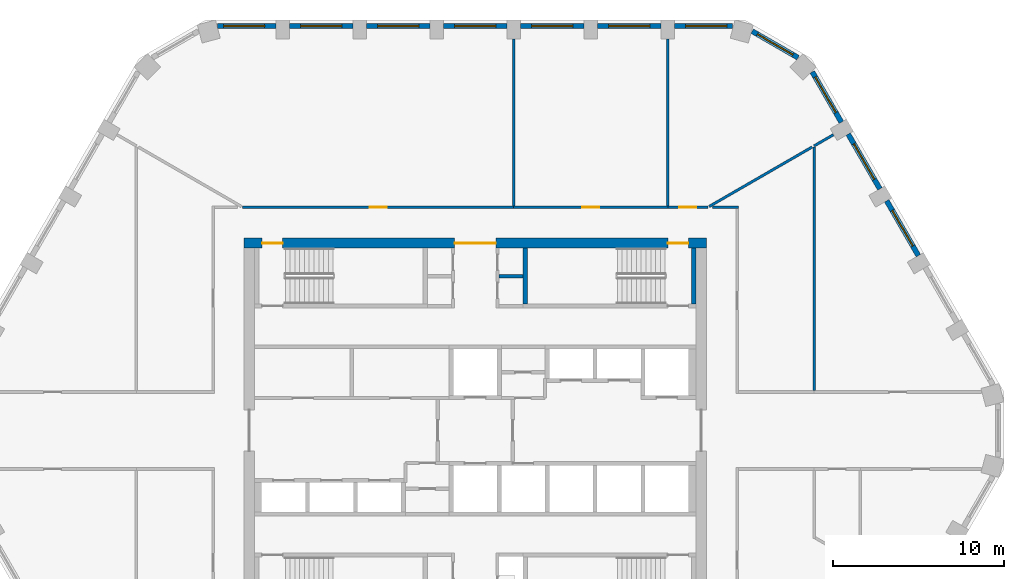
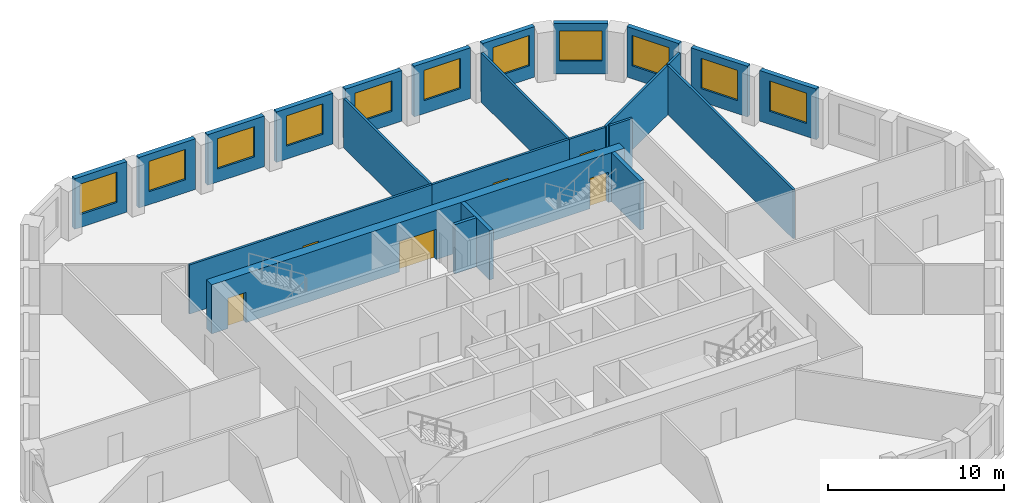
# One storey, part 6 of 8: 24 walls, 11 windows, 6 doors, 17 openings.
"""IFC4 building model written with IfcOpenShell, lengths in metres."""

from ifc_helpers import new_model, si_unit, direction, frame, frame_2d, origin, place, context, subcontext, project, spatial, rectangle, extrude, material, layer, layer_set, type_object, element, fill, save


model = new_model("IFC4")

# Units and contexts
model_context = context("Model", 3, precision=1e-05, world=origin(), true_north=direction((0.0, 1.0)))
body_context = subcontext(model_context, "Body", "Model", "MODEL_VIEW")
ifc_project = project(units=[si_unit("LENGTHUNIT", "METRE"), si_unit("AREAUNIT", "SQUARE_METRE"), si_unit("VOLUMEUNIT", "CUBIC_METRE"), si_unit("PLANEANGLEUNIT", "RADIAN"), si_unit("MASSUNIT", "GRAM", prefix="KILO")], contexts=[model_context])

# Site, building, storey
site_placement = place(None, origin())
site = spatial("IfcSite", under=ifc_project, at=site_placement, CompositionType="ELEMENT")
building_placement = place(site_placement, origin())
building = spatial("IfcBuilding", under=site, at=building_placement, Name="Dhurran Vertical Campus", CompositionType="ELEMENT")
storey_placement = place(building_placement, frame((0.0, 0.0, 226.800048828125)))
storey = spatial("IfcBuildingStorey", under=building, at=storey_placement, Name="L56", CompositionType="ELEMENT", Elevation=226.800048828125)

# Wall, opening, window
ifc_material_1 = material(Name="Precast concrete C50/60", Category="concrete")
ifc_layer_1 = layer(ifc_material_1, 0.300048828125)
ifc_layer_set_1 = layer_set([ifc_layer_1], Name="Precast concrete C50/60")
wall_type_1 = type_object("IfcWallType", Name="Precast spandrel wall 300", PredefinedType="SOLIDWALL", material=ifc_layer_set_1)
wall_1_placement = place(storey_placement, frame((25.893798828125, 10.216064453125, 0.0), z_axis=(0.0, 0.0, 1.0), x_axis=(-0.500029062817, 0.866008623709, 0.0)))
wall_1 = element("IfcWall", 1, at=wall_1_placement, inside=storey, type_object=wall_type_1, Name="EW1 L56.16", PredefinedType="SOLIDWALL", context=body_context, shape_type="SweptSolid", body=[
    extrude(rectangle(XDim=3.698974609375, YDim=0.300048828125, at=frame_2d((1.849609375, 0.0))), origin(), (0.0, 0.0, 1.0), 3.5),
])
opening_1_placement = place(wall_1_placement, frame((0.6494140625, 0.0, 0.89990234375)))
opening_1 = element("IfcOpeningElement", 2, at=opening_1_placement, cuts=wall_1, Name="Opening WT1", PredefinedType="OPENING", context=body_context, shape_type="SweptSolid", body=[
    extrude(rectangle(XDim=2.39990234375, YDim=2.10009765625, at=frame_2d((1.199951171875, 1.050048828125))), frame((0.0, 0.159912109375, 0.0), z_axis=(0.0, -1.0, 0.0), x_axis=(1.0, 0.0, 0.0)), (0.0, 0.0, 1.0), 0.320068359375),
])
ifc_material_2 = material(Name="Aluminium frame with solar-control glass", Category="aluminium")
window_type = type_object("IfcWindowType", Name="Punched window 2400 x 2100", PartitioningType="SINGLE_PANEL", PredefinedType="WINDOW", material=ifc_material_2)
window_1_placement = place(opening_1_placement, origin())
window_1 = element("IfcWindow", 3, at=window_1_placement, inside=storey, type_object=window_type, Name="WT1 L56.16", OverallHeight=2.10009765625, OverallWidth=2.39990234375, PartitioningType="SINGLE_PANEL", PredefinedType="WINDOW", context=body_context, shape_type="SweptSolid", body=[
    extrude(rectangle(XDim=2.39990234375, YDim=2.10009765625, at=frame_2d((1.199951171875, 1.050048828125))), frame((0.0, 0.030029296875, 0.0), z_axis=(0.0, -1.0, 0.0), x_axis=(1.0, 0.0, 0.0)), (0.0, 0.0, 1.0), 0.06005859375),
])
fill(opening_1, window_1)

wall_2_placement = place(storey_placement, frame((23.643798828125, 14.11328125, 0.0), z_axis=(0.0, 0.0, 1.0), x_axis=(-0.500029062817, 0.866008623709, 0.0)))
wall_2 = element("IfcWall", 4, at=wall_2_placement, inside=storey, type_object=wall_type_1, Name="EW1 L56.17", PredefinedType="SOLIDWALL", context=body_context, shape_type="SweptSolid", body=[
    extrude(rectangle(XDim=3.698974609375, YDim=0.300048828125, at=frame_2d((1.849609375, 0.0))), origin(), (0.0, 0.0, 1.0), 3.5),
])
opening_2_placement = place(wall_2_placement, frame((0.6494140625, 0.0, 0.89990234375)))
opening_2 = element("IfcOpeningElement", 5, at=opening_2_placement, cuts=wall_2, Name="Opening WT1", PredefinedType="OPENING", context=body_context, shape_type="SweptSolid", body=[
    extrude(rectangle(XDim=2.39990234375, YDim=2.10009765625, at=frame_2d((1.199951171875, 1.050048828125))), frame((0.0, 0.159912109375, 0.0), z_axis=(0.0, -1.0, 0.0), x_axis=(1.0, 0.0, 0.0)), (0.0, 0.0, 1.0), 0.320068359375),
])
window_2_placement = place(opening_2_placement, origin())
window_2 = element("IfcWindow", 6, at=window_2_placement, inside=storey, type_object=window_type, Name="WT1 L56.17", OverallHeight=2.10009765625, OverallWidth=2.39990234375, PartitioningType="SINGLE_PANEL", PredefinedType="WINDOW", context=body_context, shape_type="SweptSolid", body=[
    extrude(rectangle(XDim=2.39990234375, YDim=2.10009765625, at=frame_2d((1.199951171875, 1.050048828125))), frame((0.0, 0.030029296875, 0.0), z_axis=(0.0, -1.0, 0.0), x_axis=(1.0, 0.0, 0.0)), (0.0, 0.0, 1.0), 0.06005859375),
])
fill(opening_2, window_2)

wall_3_placement = place(storey_placement, frame((21.393798828125, 18.01025390625, 0.0), z_axis=(0.0, 0.0, 1.0), x_axis=(-0.500012868213, 0.866017974191, 0.0)))
wall_3 = element("IfcWall", 7, at=wall_3_placement, inside=storey, type_object=wall_type_1, Name="EW1 L56.18", PredefinedType="SOLIDWALL", context=body_context, shape_type="SweptSolid", body=[
    extrude(rectangle(XDim=3.39599609375, YDim=0.300048828125, at=frame_2d((1.697998046875, 0.0))), origin(), (0.0, 0.0, 1.0), 3.5),
])
opening_3_placement = place(wall_3_placement, frame((0.6494140625, 0.0, 0.89990234375)))
opening_3 = element("IfcOpeningElement", 8, at=opening_3_placement, cuts=wall_3, Name="Opening WT1", PredefinedType="OPENING", context=body_context, shape_type="SweptSolid", body=[
    extrude(rectangle(XDim=2.39990234375, YDim=2.10009765625, at=frame_2d((1.199951171875, 1.050048828125))), frame((0.0, 0.159912109375, 0.0), z_axis=(0.0, -1.0, 0.0), x_axis=(1.0, 0.0, 0.0)), (0.0, 0.0, 1.0), 0.320068359375),
])
window_3_placement = place(opening_3_placement, origin())
window_3 = element("IfcWindow", 9, at=window_3_placement, inside=storey, type_object=window_type, Name="WT1 L56.18", OverallHeight=2.10009765625, OverallWidth=2.39990234375, PartitioningType="SINGLE_PANEL", PredefinedType="WINDOW", context=body_context, shape_type="SweptSolid", body=[
    extrude(rectangle(XDim=2.39990234375, YDim=2.10009765625, at=frame_2d((1.199951171875, 1.050048828125))), frame((0.0, 0.030029296875, 0.0), z_axis=(0.0, -1.0, 0.0), x_axis=(1.0, 0.0, 0.0)), (0.0, 0.0, 1.0), 0.06005859375),
])
fill(opening_3, window_3)

wall_4_placement = place(storey_placement, frame((18.86279296875, 21.7841796875, 0.0), z_axis=(0.0, 0.0, 1.0), x_axis=(-0.865994975416, 0.500052699777, 0.0)))
wall_4 = element("IfcWall", 10, at=wall_4_placement, inside=storey, type_object=wall_type_1, Name="EW1 L56.19", PredefinedType="SOLIDWALL", context=body_context, shape_type="SweptSolid", body=[
    extrude(rectangle(XDim=3.093017578125, YDim=0.300048828125, at=frame_2d((1.54638671875, 0.0))), origin(), (0.0, 0.0, 1.0), 3.5),
])
opening_4_placement = place(wall_4_placement, frame((0.34619140625, 0.0, 0.89990234375)))
opening_4 = element("IfcOpeningElement", 11, at=opening_4_placement, cuts=wall_4, Name="Opening WT1", PredefinedType="OPENING", context=body_context, shape_type="SweptSolid", body=[
    extrude(rectangle(XDim=2.39990234375, YDim=2.10009765625, at=frame_2d((1.199951171875, 1.050048828125))), frame((0.0, 0.159912109375, 0.0), z_axis=(0.0, -1.0, 0.0), x_axis=(1.0, 0.0, 0.0)), (0.0, 0.0, 1.0), 0.320068359375),
])
window_4_placement = place(opening_4_placement, origin())
window_4 = element("IfcWindow", 12, at=window_4_placement, inside=storey, type_object=window_type, Name="WT1 L56.19", OverallHeight=2.10009765625, OverallWidth=2.39990234375, PartitioningType="SINGLE_PANEL", PredefinedType="WINDOW", context=body_context, shape_type="SweptSolid", body=[
    extrude(rectangle(XDim=2.39990234375, YDim=2.10009765625, at=frame_2d((1.199951171875, 1.050048828125))), frame((0.0, 0.030029296875, 0.0), z_axis=(0.0, -1.0, 0.0), x_axis=(1.0, 0.0, 0.0)), (0.0, 0.0, 1.0), 0.06005859375),
])
fill(opening_4, window_4)

wall_5_placement = place(storey_placement, frame((15.04638671875, 23.635498046875, 0.0), z_axis=(0.0, 0.0, 1.0), x_axis=(-1.0, 0.0, 0.0)))
wall_5 = element("IfcWall", 13, at=wall_5_placement, inside=storey, type_object=wall_type_1, Name="EW1 L56.20", PredefinedType="SOLIDWALL", context=body_context, shape_type="SweptSolid", body=[
    extrude(rectangle(XDim=3.39599609375, YDim=0.300048828125, at=frame_2d((1.697998046875, 0.0))), origin(), (0.0, 0.0, 1.0), 3.5),
])
opening_5_placement = place(wall_5_placement, frame((0.34619140625, 0.0, 0.89990234375)))
opening_5 = element("IfcOpeningElement", 14, at=opening_5_placement, cuts=wall_5, Name="Opening WT1", PredefinedType="OPENING", context=body_context, shape_type="SweptSolid", body=[
    extrude(rectangle(XDim=2.39990234375, YDim=2.10009765625, at=frame_2d((1.199951171875, 1.050048828125))), frame((0.0, 0.159912109375, 0.0), z_axis=(0.0, -1.0, 0.0), x_axis=(1.0, 0.0, 0.0)), (0.0, 0.0, 1.0), 0.320068359375),
])
window_5_placement = place(opening_5_placement, origin())
window_5 = element("IfcWindow", 15, at=window_5_placement, inside=storey, type_object=window_type, Name="WT1 L56.20", OverallHeight=2.10009765625, OverallWidth=2.39990234375, PartitioningType="SINGLE_PANEL", PredefinedType="WINDOW", context=body_context, shape_type="SweptSolid", body=[
    extrude(rectangle(XDim=2.39990234375, YDim=2.10009765625, at=frame_2d((1.199951171875, 1.050048828125))), frame((0.0, 0.030029296875, 0.0), z_axis=(0.0, -1.0, 0.0), x_axis=(1.0, 0.0, 0.0)), (0.0, 0.0, 1.0), 0.06005859375),
])
fill(opening_5, window_5)

wall_6_placement = place(storey_placement, frame((10.849609375, 23.635498046875, 0.0), z_axis=(0.0, 0.0, 1.0), x_axis=(-1.0, 0.0, 0.0)))
wall_6 = element("IfcWall", 16, at=wall_6_placement, inside=storey, type_object=wall_type_1, Name="EW1 L56.21", PredefinedType="SOLIDWALL", context=body_context, shape_type="SweptSolid", body=[
    extrude(rectangle(XDim=3.69921875, YDim=0.300048828125, at=frame_2d((1.849609375, 0.0))), origin(), (0.0, 0.0, 1.0), 3.5),
])
opening_6_placement = place(wall_6_placement, frame((0.6494140625, 0.0, 0.89990234375)))
opening_6 = element("IfcOpeningElement", 17, at=opening_6_placement, cuts=wall_6, Name="Opening WT1", PredefinedType="OPENING", context=body_context, shape_type="SweptSolid", body=[
    extrude(rectangle(XDim=2.39990234375, YDim=2.10009765625, at=frame_2d((1.199951171875, 1.050048828125))), frame((0.0, 0.159912109375, 0.0), z_axis=(0.0, -1.0, 0.0), x_axis=(1.0, 0.0, 0.0)), (0.0, 0.0, 1.0), 0.320068359375),
])
window_6_placement = place(opening_6_placement, origin())
window_6 = element("IfcWindow", 18, at=window_6_placement, inside=storey, type_object=window_type, Name="WT1 L56.21", OverallHeight=2.10009765625, OverallWidth=2.39990234375, PartitioningType="SINGLE_PANEL", PredefinedType="WINDOW", context=body_context, shape_type="SweptSolid", body=[
    extrude(rectangle(XDim=2.39990234375, YDim=2.10009765625, at=frame_2d((1.199951171875, 1.050048828125))), frame((0.0, 0.030029296875, 0.0), z_axis=(0.0, -1.0, 0.0), x_axis=(1.0, 0.0, 0.0)), (0.0, 0.0, 1.0), 0.06005859375),
])
fill(opening_6, window_6)

wall_7_placement = place(storey_placement, frame((6.349609375, 23.635498046875, 0.0), z_axis=(0.0, 0.0, 1.0), x_axis=(-1.0, 0.0, 0.0)))
wall_7 = element("IfcWall", 19, at=wall_7_placement, inside=storey, type_object=wall_type_1, Name="EW1 L56.22", PredefinedType="SOLIDWALL", context=body_context, shape_type="SweptSolid", body=[
    extrude(rectangle(XDim=3.69921875, YDim=0.300048828125, at=frame_2d((1.849609375, 0.0))), origin(), (0.0, 0.0, 1.0), 3.5),
])
opening_7_placement = place(wall_7_placement, frame((0.6494140625, 0.0, 0.89990234375)))
opening_7 = element("IfcOpeningElement", 20, at=opening_7_placement, cuts=wall_7, Name="Opening WT1", PredefinedType="OPENING", context=body_context, shape_type="SweptSolid", body=[
    extrude(rectangle(XDim=2.39990234375, YDim=2.10009765625, at=frame_2d((1.199951171875, 1.050048828125))), frame((0.0, 0.159912109375, 0.0), z_axis=(0.0, -1.0, 0.0), x_axis=(1.0, 0.0, 0.0)), (0.0, 0.0, 1.0), 0.320068359375),
])
window_7_placement = place(opening_7_placement, origin())
window_7 = element("IfcWindow", 21, at=window_7_placement, inside=storey, type_object=window_type, Name="WT1 L56.22", OverallHeight=2.10009765625, OverallWidth=2.39990234375, PartitioningType="SINGLE_PANEL", PredefinedType="WINDOW", context=body_context, shape_type="SweptSolid", body=[
    extrude(rectangle(XDim=2.39990234375, YDim=2.10009765625, at=frame_2d((1.199951171875, 1.050048828125))), frame((0.0, 0.030029296875, 0.0), z_axis=(0.0, -1.0, 0.0), x_axis=(1.0, 0.0, 0.0)), (0.0, 0.0, 1.0), 0.06005859375),
])
fill(opening_7, window_7)

wall_8_placement = place(storey_placement, frame((1.849609375, 23.635498046875, 0.0), z_axis=(0.0, 0.0, 1.0), x_axis=(-1.0, 0.0, 0.0)))
wall_8 = element("IfcWall", 22, at=wall_8_placement, inside=storey, type_object=wall_type_1, Name="EW1 L56.23", PredefinedType="SOLIDWALL", context=body_context, shape_type="SweptSolid", body=[
    extrude(rectangle(XDim=3.69921875, YDim=0.300048828125, at=frame_2d((1.849609375, 0.0))), origin(), (0.0, 0.0, 1.0), 3.5),
])
opening_8_placement = place(wall_8_placement, frame((0.6494140625, 0.0, 0.89990234375)))
opening_8 = element("IfcOpeningElement", 23, at=opening_8_placement, cuts=wall_8, Name="Opening WT1", PredefinedType="OPENING", context=body_context, shape_type="SweptSolid", body=[
    extrude(rectangle(XDim=2.39990234375, YDim=2.10009765625, at=frame_2d((1.199951171875, 1.050048828125))), frame((0.0, 0.159912109375, 0.0), z_axis=(0.0, -1.0, 0.0), x_axis=(1.0, 0.0, 0.0)), (0.0, 0.0, 1.0), 0.320068359375),
])
window_8_placement = place(opening_8_placement, origin())
window_8 = element("IfcWindow", 24, at=window_8_placement, inside=storey, type_object=window_type, Name="WT1 L56.23", OverallHeight=2.10009765625, OverallWidth=2.39990234375, PartitioningType="SINGLE_PANEL", PredefinedType="WINDOW", context=body_context, shape_type="SweptSolid", body=[
    extrude(rectangle(XDim=2.39990234375, YDim=2.10009765625, at=frame_2d((1.199951171875, 1.050048828125))), frame((0.0, 0.030029296875, 0.0), z_axis=(0.0, -1.0, 0.0), x_axis=(1.0, 0.0, 0.0)), (0.0, 0.0, 1.0), 0.06005859375),
])
fill(opening_8, window_8)

wall_9_placement = place(storey_placement, frame((-2.650390625, 23.635498046875, 0.0), z_axis=(0.0, 0.0, 1.0), x_axis=(-1.0, 0.0, 0.0)))
wall_9 = element("IfcWall", 25, at=wall_9_placement, inside=storey, type_object=wall_type_1, Name="EW1 L56.24", PredefinedType="SOLIDWALL", context=body_context, shape_type="SweptSolid", body=[
    extrude(rectangle(XDim=3.69921875, YDim=0.300048828125, at=frame_2d((1.849609375, 0.0))), origin(), (0.0, 0.0, 1.0), 3.5),
])
opening_9_placement = place(wall_9_placement, frame((0.6494140625, 0.0, 0.89990234375)))
opening_9 = element("IfcOpeningElement", 26, at=opening_9_placement, cuts=wall_9, Name="Opening WT1", PredefinedType="OPENING", context=body_context, shape_type="SweptSolid", body=[
    extrude(rectangle(XDim=2.39990234375, YDim=2.10009765625, at=frame_2d((1.199951171875, 1.050048828125))), frame((0.0, 0.159912109375, 0.0), z_axis=(0.0, -1.0, 0.0), x_axis=(1.0, 0.0, 0.0)), (0.0, 0.0, 1.0), 0.320068359375),
])
window_9_placement = place(opening_9_placement, origin())
window_9 = element("IfcWindow", 27, at=window_9_placement, inside=storey, type_object=window_type, Name="WT1 L56.24", OverallHeight=2.10009765625, OverallWidth=2.39990234375, PartitioningType="SINGLE_PANEL", PredefinedType="WINDOW", context=body_context, shape_type="SweptSolid", body=[
    extrude(rectangle(XDim=2.39990234375, YDim=2.10009765625, at=frame_2d((1.199951171875, 1.050048828125))), frame((0.0, 0.030029296875, 0.0), z_axis=(0.0, -1.0, 0.0), x_axis=(1.0, 0.0, 0.0)), (0.0, 0.0, 1.0), 0.06005859375),
])
fill(opening_9, window_9)

wall_10_placement = place(storey_placement, frame((-7.150390625, 23.635498046875, 0.0), z_axis=(0.0, 0.0, 1.0), x_axis=(-1.0, 0.0, 0.0)))
wall_10 = element("IfcWall", 28, at=wall_10_placement, inside=storey, type_object=wall_type_1, Name="EW1 L56.25", PredefinedType="SOLIDWALL", context=body_context, shape_type="SweptSolid", body=[
    extrude(rectangle(XDim=3.69921875, YDim=0.300048828125, at=frame_2d((1.849609375, 0.0))), origin(), (0.0, 0.0, 1.0), 3.5),
])
opening_10_placement = place(wall_10_placement, frame((0.6494140625, 0.0, 0.89990234375)))
opening_10 = element("IfcOpeningElement", 29, at=opening_10_placement, cuts=wall_10, Name="Opening WT1", PredefinedType="OPENING", context=body_context, shape_type="SweptSolid", body=[
    extrude(rectangle(XDim=2.39990234375, YDim=2.10009765625, at=frame_2d((1.199951171875, 1.050048828125))), frame((0.0, 0.159912109375, 0.0), z_axis=(0.0, -1.0, 0.0), x_axis=(1.0, 0.0, 0.0)), (0.0, 0.0, 1.0), 0.320068359375),
])
window_10_placement = place(opening_10_placement, origin())
window_10 = element("IfcWindow", 30, at=window_10_placement, inside=storey, type_object=window_type, Name="WT1 L56.25", OverallHeight=2.10009765625, OverallWidth=2.39990234375, PartitioningType="SINGLE_PANEL", PredefinedType="WINDOW", context=body_context, shape_type="SweptSolid", body=[
    extrude(rectangle(XDim=2.39990234375, YDim=2.10009765625, at=frame_2d((1.199951171875, 1.050048828125))), frame((0.0, 0.030029296875, 0.0), z_axis=(0.0, -1.0, 0.0), x_axis=(1.0, 0.0, 0.0)), (0.0, 0.0, 1.0), 0.06005859375),
])
fill(opening_10, window_10)

wall_11_placement = place(storey_placement, frame((-11.650390625, 23.635498046875, 0.0), z_axis=(0.0, 0.0, 1.0), x_axis=(-1.0, 0.0, 0.0)))
wall_11 = element("IfcWall", 31, at=wall_11_placement, inside=storey, type_object=wall_type_1, Name="EW1 L56.26", PredefinedType="SOLIDWALL", context=body_context, shape_type="SweptSolid", body=[
    extrude(rectangle(XDim=3.39599609375, YDim=0.300048828125, at=frame_2d((1.697998046875, 0.0))), origin(), (0.0, 0.0, 1.0), 3.5),
])
opening_11_placement = place(wall_11_placement, frame((0.6494140625, 0.0, 0.89990234375)))
opening_11 = element("IfcOpeningElement", 32, at=opening_11_placement, cuts=wall_11, Name="Opening WT1", PredefinedType="OPENING", context=body_context, shape_type="SweptSolid", body=[
    extrude(rectangle(XDim=2.39990234375, YDim=2.10009765625, at=frame_2d((1.199951171875, 1.050048828125))), frame((0.0, 0.159912109375, 0.0), z_axis=(0.0, -1.0, 0.0), x_axis=(1.0, 0.0, 0.0)), (0.0, 0.0, 1.0), 0.320068359375),
])
window_11_placement = place(opening_11_placement, origin())
window_11 = element("IfcWindow", 33, at=window_11_placement, inside=storey, type_object=window_type, Name="WT1 L56.26", OverallHeight=2.10009765625, OverallWidth=2.39990234375, PartitioningType="SINGLE_PANEL", PredefinedType="WINDOW", context=body_context, shape_type="SweptSolid", body=[
    extrude(rectangle(XDim=2.39990234375, YDim=2.10009765625, at=frame_2d((1.199951171875, 1.050048828125))), frame((0.0, 0.030029296875, 0.0), z_axis=(0.0, -1.0, 0.0), x_axis=(1.0, 0.0, 0.0)), (0.0, 0.0, 1.0), 0.06005859375),
])
fill(opening_11, window_11)

# Wall, openings, doors
ifc_material_3 = material(Name="Concrete C50/60", Category="concrete")
ifc_layer_2 = layer(ifc_material_3, 0.60009765625)
ifc_layer_set_2 = layer_set([ifc_layer_2], Name="Concrete C50/60")
wall_type_2 = type_object("IfcWallType", Name="co-CORE-WALL-C2-600", PredefinedType="SHEAR", material=ifc_layer_set_2)
wall_12_placement = place(storey_placement, frame((-13.5, 10.949951171875, 0.0), z_axis=(0.0, 0.0, 1.0), x_axis=(1.0, 0.0, 0.0)))
wall_12 = element("IfcWall", 34, at=wall_12_placement, inside=storey, type_object=wall_type_2, Name="Core wall N L56", PredefinedType="SHEAR", context=body_context, shape_type="SweptSolid", body=[
    extrude(rectangle(XDim=27.0, YDim=0.60009765625, at=frame_2d((13.5, 0.0))), origin(), (0.0, 0.0, 1.0), 3.39990234375),
])
opening_12_placement = place(wall_12_placement, frame((12.300048828125, 0.0, 0.0)))
opening_12 = element("IfcOpeningElement", 35, at=opening_12_placement, cuts=wall_12, Name="Opening CV1", PredefinedType="OPENING", context=body_context, shape_type="SweptSolid", body=[
    extrude(rectangle(XDim=2.39990234375, YDim=2.10009765625, at=frame_2d((1.199951171875, 1.050048828125))), frame((0.0, 0.31005859375, 0.0), z_axis=(0.0, -1.0, 0.0), x_axis=(1.0, 0.0, 0.0)), (0.0, 0.0, 1.0), 0.6201171875),
])
opening_13_placement = place(wall_12_placement, frame((1.050048828125, 0.0, 0.0)))
opening_13 = element("IfcOpeningElement", 36, at=opening_13_placement, cuts=wall_12, Name="Opening XD1", PredefinedType="OPENING", context=body_context, shape_type="SweptSolid", body=[
    extrude(rectangle(XDim=1.199951171875, YDim=2.10009765625, at=frame_2d((0.60009765625, 1.050048828125))), frame((0.0, 0.31005859375, 0.0), z_axis=(0.0, -1.0, 0.0), x_axis=(1.0, 0.0, 0.0)), (0.0, 0.0, 1.0), 0.6201171875),
])
opening_14_placement = place(wall_12_placement, frame((24.75, 0.0, 0.0)))
opening_14 = element("IfcOpeningElement", 37, at=opening_14_placement, cuts=wall_12, Name="Opening XD2", PredefinedType="OPENING", context=body_context, shape_type="SweptSolid", body=[
    extrude(rectangle(XDim=1.199951171875, YDim=2.10009765625, at=frame_2d((0.60009765625, 1.050048828125))), frame((0.0, 0.31005859375, 0.0), z_axis=(0.0, -1.0, 0.0), x_axis=(1.0, 0.0, 0.0)), (0.0, 0.0, 1.0), 0.6201171875),
])
ifc_material_4 = material(Name="Fire-rated glazed door set")
door_type_1 = type_object("IfcDoorType", Name="co-D-LOBBY 2400x2100", OperationType="DOUBLE_DOOR_DOUBLE_SWING", PredefinedType="DOOR", material=ifc_material_4)
door_1_placement = place(opening_12_placement, origin())
door_1 = element("IfcDoor", 38, at=door_1_placement, inside=storey, type_object=door_type_1, Name="Core vestibule door N L56", OperationType="DOUBLE_DOOR_DOUBLE_SWING", OverallHeight=2.10009765625, OverallWidth=2.39990234375, PredefinedType="DOOR", context=body_context, shape_type="SweptSolid", body=[
    extrude(rectangle(XDim=2.39990234375, YDim=2.10009765625, at=frame_2d((1.199951171875, 1.050048828125))), frame((0.0, 0.02490234375, 0.0), z_axis=(0.0, -1.0, 0.0), x_axis=(1.0, 0.0, 0.0)), (0.0, 0.0, 1.0), 0.050048828125),
])
fill(opening_12, door_1)
ifc_material_5 = material(Name="Fire-rated steel door set", Category="steel")
door_type_2 = type_object("IfcDoorType", Name="co-D-STAIR-EXIT 1200x2100", OperationType="SINGLE_SWING_RIGHT", PredefinedType="DOOR", material=ifc_material_5)
door_2_placement = place(opening_13_placement, origin())
door_2 = element("IfcDoor", 39, at=door_2_placement, inside=storey, type_object=door_type_2, Name="Stair ST1 exit door L56", OperationType="SINGLE_SWING_RIGHT", OverallHeight=2.10009765625, OverallWidth=1.199951171875, PredefinedType="DOOR", context=body_context, shape_type="SweptSolid", body=[
    extrude(rectangle(XDim=1.199951171875, YDim=2.10009765625, at=frame_2d((0.60009765625, 1.050048828125))), frame((0.0, 0.02490234375, 0.0), z_axis=(0.0, -1.0, 0.0), x_axis=(1.0, 0.0, 0.0)), (0.0, 0.0, 1.0), 0.050048828125),
])
fill(opening_13, door_2)
door_3_placement = place(opening_14_placement, origin())
door_3 = element("IfcDoor", 40, at=door_3_placement, inside=storey, type_object=door_type_2, Name="Stair ST2 exit door L56", OperationType="SINGLE_SWING_RIGHT", OverallHeight=2.10009765625, OverallWidth=1.199951171875, PredefinedType="DOOR", context=body_context, shape_type="SweptSolid", body=[
    extrude(rectangle(XDim=1.199951171875, YDim=2.10009765625, at=frame_2d((0.60009765625, 1.050048828125))), frame((0.0, 0.02490234375, 0.0), z_axis=(0.0, -1.0, 0.0), x_axis=(1.0, 0.0, 0.0)), (0.0, 0.0, 1.0), 0.050048828125),
])
fill(opening_14, door_3)

# Walls
ifc_material_6 = material(Name="Fire-rated masonry blockwork", Category="masonry")
ifc_layer_3 = layer(ifc_material_6, 0.199951171875)
ifc_layer_set_3 = layer_set([ifc_layer_3], Name="Fire-rated masonry blockwork")
wall_type_3 = type_object("IfcWallType", Name="co-FIRE-PARTITION-200", PredefinedType="PARTITIONING", material=ifc_layer_set_3)
wall_13_placement = place(storey_placement, frame((1.39990234375, 9.0, 0.0), z_axis=(0.0, 0.0, 1.0), x_axis=(1.0, 0.0, 0.0)))
element("IfcWall", 41, at=wall_13_placement, inside=storey, type_object=wall_type_3, Name="Core partition sl-NE-cut0 L56", PredefinedType="PARTITIONING", context=body_context, shape_type="SweptSolid", body=[
    extrude(rectangle(XDim=1.400146484375, YDim=0.199951171875, at=frame_2d((0.7001953125, 0.0))), origin(), (0.0, 0.0, 1.0), 3.39990234375),
])
ifc_material_7 = material(Name="Concrete C40/50", Category="concrete")
ifc_layer_4 = layer(ifc_material_7, 0.25)
ifc_layer_set_4 = layer_set([ifc_layer_4], Name="Concrete C40/50")
wall_type_4 = type_object("IfcWallType", Name="co-STAIR-WALL-250", PredefinedType="SHEAR", material=ifc_layer_set_4)
for number, where, z_axis, x_axis, name in (
    (42, (2.925048828125, 7.39990234375, 0.0), (0.0, 0.0, 1.0), (0.0, 1.0, 0.0), "Stair ST2 enclosure wall L56"),
    (43, (12.77490234375, 7.39990234375, 0.0), (0.0, 0.0, 1.0), (0.0, 1.0, 0.0), "Stair ST2 enclosure wall L56"),
):
    element("IfcWall", number, at=place(storey_placement, frame(where, z_axis=z_axis, x_axis=x_axis)), inside=storey, type_object=wall_type_4, Name=name, PredefinedType="SHEAR", context=body_context, shape_type="SweptSolid", body=[
        extrude(rectangle(XDim=3.25, YDim=0.25, at=frame_2d((1.625, 0.0))), origin(), (0.0, 0.0, 1.0), 3.39990234375),
    ])

# Wall, opening, door
ifc_material_8 = material(Name="Gypsum board corridor wall on steel studs", Category="steel")
ifc_layer_5 = layer(ifc_material_8, 0.14990234375)
ifc_layer_set_5 = layer_set([ifc_layer_5], Name="Gypsum board corridor wall on steel studs")
wall_type_5 = type_object("IfcWallType", Name="fl-CW-150 corridor wall", PredefinedType="PARTITIONING", material=ifc_layer_set_5)
wall_14_placement = place(storey_placement, frame((2.25, 13.050048828125, 0.0), z_axis=(0.0, 0.0, 1.0), x_axis=(-1.0, 0.0, 0.0)))
wall_14 = element("IfcWall", 44, at=wall_14_placement, inside=storey, type_object=wall_type_5, Name="Partition 56-16", PredefinedType="PARTITIONING", context=body_context, shape_type="SweptSolid", body=[
    extrude(rectangle(XDim=15.85302734375, YDim=0.14990234375, at=frame_2d((7.926513671875, 0.0))), origin(), (0.0, 0.0, 1.0), 3.39990234375),
])
opening_15_placement = place(wall_14_placement, frame((7.426513671875, 0.0, 0.0)))
opening_15 = element("IfcOpeningElement", 45, at=opening_15_placement, cuts=wall_14, Name="Opening T16.06", PredefinedType="OPENING", context=body_context, shape_type="SweptSolid", body=[
    extrude(rectangle(XDim=1.0, YDim=2.10009765625, at=frame_2d((0.5, 1.050048828125))), frame((0.0, 0.0849609375, 0.0), z_axis=(0.0, -1.0, 0.0), x_axis=(1.0, 0.0, 0.0)), (0.0, 0.0, 1.0), 0.169921875),
])
ifc_material_9 = material(Name="Solid-core timber door set, fire-rated", Category="wood")
door_type_3 = type_object("IfcDoorType", Name="fl-D-1000x2100", OperationType="SINGLE_SWING_LEFT", PredefinedType="DOOR", material=ifc_material_9)
door_4_placement = place(opening_15_placement, origin())
door_4 = element("IfcDoor", 46, at=door_4_placement, inside=storey, type_object=door_type_3, Name="Door 56.06", OperationType="SINGLE_SWING_RIGHT", OverallHeight=2.10009765625, OverallWidth=1.0, PredefinedType="DOOR", context=body_context, shape_type="SweptSolid", body=[
    extrude(rectangle(XDim=1.0, YDim=2.10009765625, at=frame_2d((0.5, 1.050048828125))), frame((0.0, 0.02490234375, 0.0), z_axis=(0.0, -1.0, 0.0), x_axis=(1.0, 0.0, 0.0)), (0.0, 0.0, 1.0), 0.050048828125),
])
fill(opening_15, door_4)

wall_15_placement = place(storey_placement, frame((11.25, 13.050048828125, 0.0), z_axis=(0.0, 0.0, 1.0), x_axis=(-1.0, 0.0, 0.0)))
wall_15 = element("IfcWall", 47, at=wall_15_placement, inside=storey, type_object=wall_type_5, Name="Partition 56-20", PredefinedType="PARTITIONING", context=body_context, shape_type="SweptSolid", body=[
    extrude(rectangle(XDim=9.0, YDim=0.14990234375, at=frame_2d((4.5, 0.0))), origin(), (0.0, 0.0, 1.0), 3.39990234375),
])
opening_16_placement = place(wall_15_placement, frame((4.0, 0.0, 0.0)))
opening_16 = element("IfcOpeningElement", 48, at=opening_16_placement, cuts=wall_15, Name="Opening T16.07", PredefinedType="OPENING", context=body_context, shape_type="SweptSolid", body=[
    extrude(rectangle(XDim=1.0, YDim=2.10009765625, at=frame_2d((0.5, 1.050048828125))), frame((0.0, 0.0849609375, 0.0), z_axis=(0.0, -1.0, 0.0), x_axis=(1.0, 0.0, 0.0)), (0.0, 0.0, 1.0), 0.169921875),
])
door_5_placement = place(opening_16_placement, origin())
door_5 = element("IfcDoor", 49, at=door_5_placement, inside=storey, type_object=door_type_3, Name="Door 56.07", OperationType="SINGLE_SWING_LEFT", OverallHeight=2.10009765625, OverallWidth=1.0, PredefinedType="DOOR", context=body_context, shape_type="SweptSolid", body=[
    extrude(rectangle(XDim=1.0, YDim=2.10009765625, at=frame_2d((0.5, 1.050048828125))), frame((0.0, 0.02490234375, 0.0), z_axis=(0.0, -1.0, 0.0), x_axis=(1.0, 0.0, 0.0)), (0.0, 0.0, 1.0), 0.050048828125),
])
fill(opening_16, door_5)

wall_16_placement = place(storey_placement, frame((13.60302734375, 13.050048828125, 0.0), z_axis=(0.0, 0.0, 1.0), x_axis=(-1.0, 0.0, 0.0)))
wall_16 = element("IfcWall", 50, at=wall_16_placement, inside=storey, type_object=wall_type_5, Name="Partition 56-24", PredefinedType="PARTITIONING", context=body_context, shape_type="SweptSolid", body=[
    extrude(rectangle(XDim=2.35302734375, YDim=0.14990234375, at=frame_2d((1.176513671875, 0.0))), origin(), (0.0, 0.0, 1.0), 3.39990234375),
])
opening_17_placement = place(wall_16_placement, frame((0.676513671875, 0.0, 0.0)))
opening_17 = element("IfcOpeningElement", 51, at=opening_17_placement, cuts=wall_16, Name="Opening T16.09", PredefinedType="OPENING", context=body_context, shape_type="SweptSolid", body=[
    extrude(rectangle(XDim=1.0, YDim=2.10009765625, at=frame_2d((0.5, 1.050048828125))), frame((0.0, 0.0849609375, 0.0), z_axis=(0.0, -1.0, 0.0), x_axis=(1.0, 0.0, 0.0)), (0.0, 0.0, 1.0), 0.169921875),
])
door_6_placement = place(opening_17_placement, origin())
door_6 = element("IfcDoor", 52, at=door_6_placement, inside=storey, type_object=door_type_3, Name="Door 56.09", OperationType="SINGLE_SWING_LEFT", OverallHeight=2.10009765625, OverallWidth=1.0, PredefinedType="DOOR", context=body_context, shape_type="SweptSolid", body=[
    extrude(rectangle(XDim=1.0, YDim=2.10009765625, at=frame_2d((0.5, 1.050048828125))), frame((0.0, 0.02490234375, 0.0), z_axis=(0.0, -1.0, 0.0), x_axis=(1.0, 0.0, 0.0)), (0.0, 0.0, 1.0), 0.050048828125),
])
fill(opening_17, door_6)

# Walls
wall_17_placement = place(storey_placement, frame((15.375, 13.050048828125, 0.0), z_axis=(0.0, 0.0, 1.0), x_axis=(-1.0, 0.0, 0.0)))
element("IfcWall", 53, at=wall_17_placement, inside=storey, type_object=wall_type_5, Name="Partition 56-25", PredefinedType="PARTITIONING", context=body_context, shape_type="SweptSolid", body=[
    extrude(rectangle(XDim=1.4970703125, YDim=0.14990234375, at=frame_2d((0.74853515625, 0.0))), origin(), (0.0, 0.0, 1.0), 3.39990234375),
])
ifc_material_10 = material(Name="Folding acoustic partition panels")
ifc_layer_6 = layer(ifc_material_10, 0.14990234375)
ifc_layer_set_6 = layer_set([ifc_layer_6], Name="Folding acoustic partition panels")
wall_type_6 = type_object("IfcWallType", Name="fl-MW-150 movable partition", PredefinedType="MOVABLE", material=ifc_layer_set_6)
wall_18_placement = place(storey_placement, frame((11.25, 22.865478515625, 0.0), z_axis=(0.0, 0.0, 1.0), x_axis=(0.0, -1.0, 0.0)))
element("IfcWall", 54, at=wall_18_placement, inside=storey, type_object=wall_type_6, Name="Partition 56-23", PredefinedType="MOVABLE", context=body_context, shape_type="SweptSolid", body=[
    extrude(rectangle(XDim=9.740478515625, YDim=0.14990234375, at=frame_2d((4.8701171875, 0.0))), origin(), (0.0, 0.0, 1.0), 3.39990234375),
])
wall_19_placement = place(storey_placement, frame((20.92724609375, 17.2783203125, 0.0), z_axis=(0.0, 0.0, 1.0), x_axis=(-0.866157475642, -0.499771175029, 0.0)))
element("IfcWall", 55, at=wall_19_placement, inside=storey, type_object=wall_type_6, Name="Partition 56-36", PredefinedType="MOVABLE", context=body_context, shape_type="SweptSolid", body=[
    extrude(rectangle(XDim=1.30126953125, YDim=0.14990234375, at=frame_2d((0.650634765625, 0.0))), origin(), (0.0, 0.0, 1.0), 3.39990234375),
])
ifc_material_11 = material(Name="Gypsum board partition on steel studs", Category="steel")
ifc_layer_7 = layer(ifc_material_11, 0.14990234375)
ifc_layer_set_7 = layer_set([ifc_layer_7], Name="Gypsum board partition on steel studs")
wall_type_7 = type_object("IfcWallType", Name="fl-PW-150 fixed partition", PredefinedType="PARTITIONING", material=ifc_layer_set_7)
wall_20_placement = place(storey_placement, frame((2.25, 22.865478515625, 0.0), z_axis=(0.0, 0.0, 1.0), x_axis=(0.0, -1.0, 0.0)))
element("IfcWall", 56, at=wall_20_placement, inside=storey, type_object=wall_type_7, Name="Partition 56-19", PredefinedType="PARTITIONING", context=body_context, shape_type="SweptSolid", body=[
    extrude(rectangle(XDim=9.740478515625, YDim=0.14990234375, at=frame_2d((4.8701171875, 0.0))), origin(), (0.0, 0.0, 1.0), 3.39990234375),
])
wall_21_placement = place(storey_placement, frame((19.6875, 16.56298828125, 0.0), z_axis=(0.0, 0.0, 1.0), x_axis=(-0.866012448988, -0.500022437694, 0.0)))
element("IfcWall", 57, at=wall_21_placement, inside=storey, type_object=wall_type_7, Name="Partition 56-26", PredefinedType="PARTITIONING", context=body_context, shape_type="SweptSolid", body=[
    extrude(rectangle(XDim=6.950927734375, YDim=0.14990234375, at=frame_2d((3.4755859375, 0.0))), origin(), (0.0, 0.0, 1.0), 3.39990234375),
])
wall_22_placement = place(storey_placement, frame((19.800048828125, 16.552978515625, 0.0), z_axis=(0.0, 0.0, 1.0), x_axis=(0.0, -1.0, 0.0)))
element("IfcWall", 58, at=wall_22_placement, inside=storey, type_object=wall_type_7, Name="Partition 56-34", PredefinedType="PARTITIONING", context=body_context, shape_type="SweptSolid", body=[
    extrude(rectangle(XDim=14.22802734375, YDim=0.14990234375, at=frame_2d((7.114013671875, 0.0))), origin(), (0.0, 0.0, 1.0), 3.39990234375),
])

save(model, "model.ifc")
